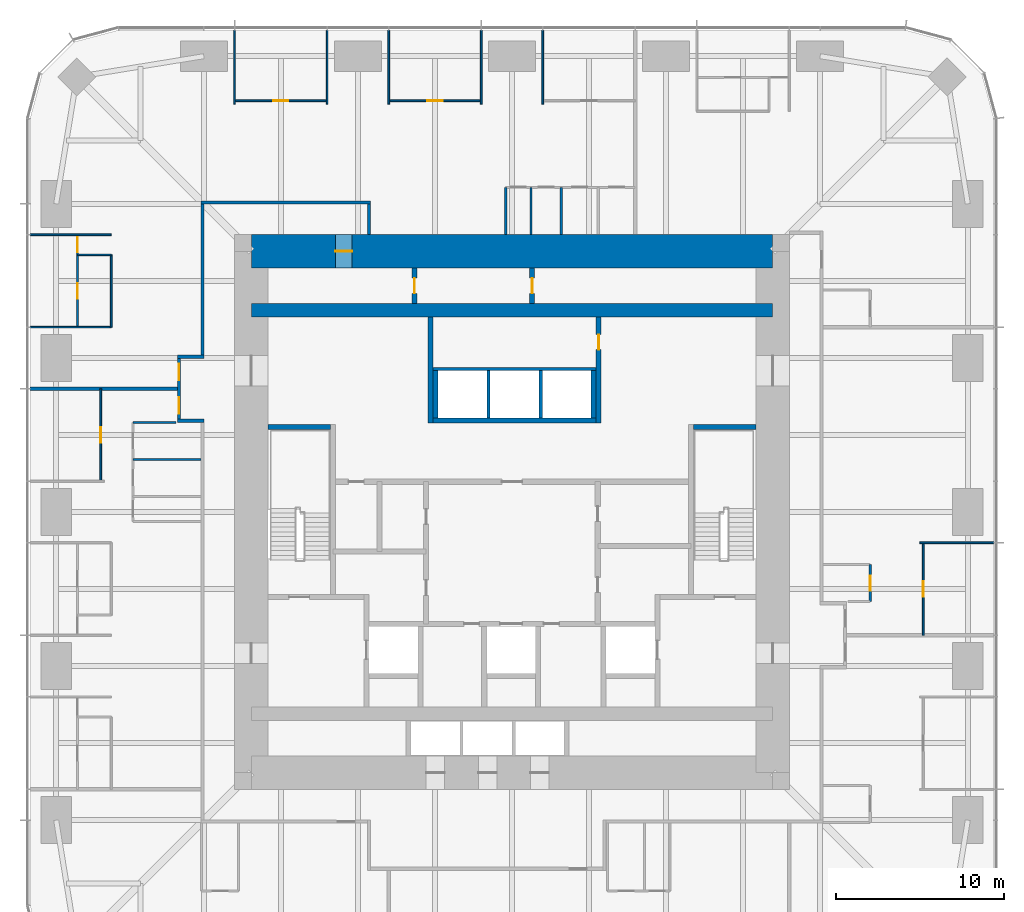
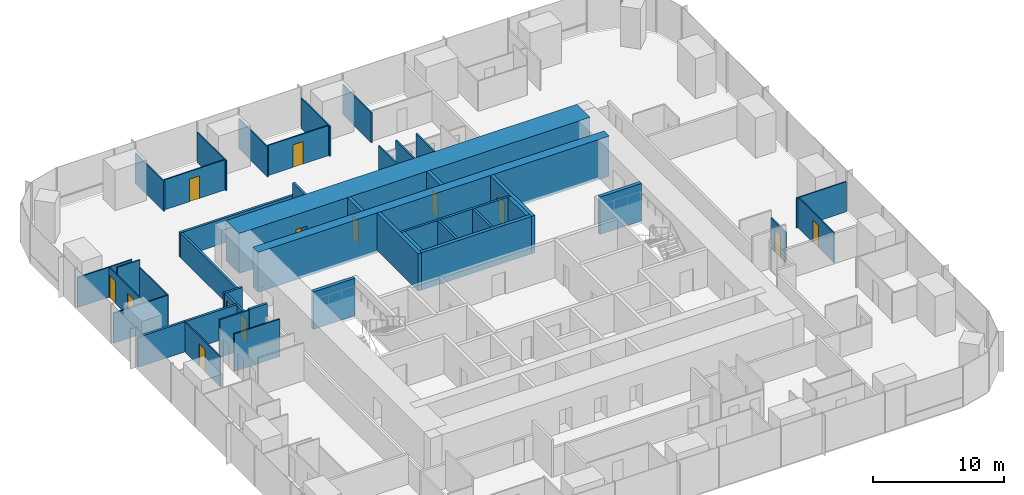
# One storey, part 11 of 13: 42 walls, 13 doors, 13 openings.
"""IFC4 building model written with IfcOpenShell, lengths in metres."""

from ifc_helpers import new_model, si_unit, direction, frame, frame_2d, origin, place, context, subcontext, project, spatial, rectangle, extrude, material, layer, layer_set, type_object, element, fill, save


model = new_model("IFC4")

# Units and contexts
model_context = context("Model", 3, precision=1e-05, world=origin(), true_north=direction((0.0, 1.0)))
body_context = subcontext(model_context, "Body", "Model", "MODEL_VIEW")
ifc_project = project(units=[si_unit("LENGTHUNIT", "METRE"), si_unit("AREAUNIT", "SQUARE_METRE"), si_unit("VOLUMEUNIT", "CUBIC_METRE"), si_unit("PLANEANGLEUNIT", "RADIAN"), si_unit("MASSUNIT", "GRAM", prefix="KILO")], contexts=[model_context])

# Site, building, storey
site_placement = place(None, origin())
site = spatial("IfcSite", under=ifc_project, at=site_placement, CompositionType="ELEMENT")
building_placement = place(site_placement, origin())
building = spatial("IfcBuilding", under=site, at=building_placement, Name="Khuree Lantern Residences", CompositionType="ELEMENT")
storey_placement = place(building_placement, frame((0.0, 0.0, 148.5)))
storey = spatial("IfcBuildingStorey", under=building, at=storey_placement, Name="L37", CompositionType="ELEMENT", Elevation=148.5)

# Wall, opening, door
ifc_material_1 = material(Name="Moisture-resistant gypsum board on steel studs", Category="steel")
ifc_layer_1 = layer(ifc_material_1, 0.125)
ifc_layer_set_1 = layer_set([ifc_layer_1], Name="BATHROOM WALL BTW125")
wall_type_1 = type_object("IfcWallType", Name="BATHROOM WALL BTW125", PredefinedType="PARTITIONING", material=ifc_layer_set_1)
wall_1_placement = place(storey_placement, frame((21.300048828125, -5.327880859375, 0.0), z_axis=(0.0, 0.0, 1.0), x_axis=(0.0, 1.0, 0.0)))
wall_1 = element("IfcWall", 1, at=wall_1_placement, inside=storey, type_object=wall_type_1, Name="L37 BATHROOM WALL 01", PredefinedType="PARTITIONING", context=body_context, shape_type="SweptSolid", body=[
    extrude(rectangle(XDim=2.199951171875, YDim=0.125, at=frame_2d((1.10009765625, 0.0))), origin(), (0.0, 0.0, 1.0), 2.81005859375),
])
opening_1_placement = place(wall_1_placement, frame((0.64990234375, 0.0, 0.0)))
opening_1 = element("IfcOpeningElement", 2, at=opening_1_placement, cuts=wall_1, Name="Opening 37-026", PredefinedType="OPENING", context=body_context, shape_type="SweptSolid", body=[
    extrude(rectangle(XDim=0.89990234375, YDim=2.10009765625, at=frame_2d((0.449951171875, 1.050048828125))), frame((0.0, 0.072509765625, 0.0), z_axis=(0.0, -1.0, 0.0), x_axis=(1.0, 0.0, 0.0)), (0.0, 0.0, 1.0), 0.14501953125),
])
ifc_material_2 = material(Name="Timber door leaf in hardwood frame", Category="wood")
door_type_1 = type_object("IfcDoorType", Name="BATHROOM DOOR 900X2100", OperationType="SINGLE_SWING_LEFT", PredefinedType="DOOR", material=ifc_material_2)
door_1_placement = place(opening_1_placement, origin())
door_1 = element("IfcDoor", 3, at=door_1_placement, inside=storey, type_object=door_type_1, Name="Bathroom door 37-026", OperationType="SINGLE_SWING_LEFT", OverallHeight=2.10009765625, OverallWidth=0.89990234375, PredefinedType="DOOR", context=body_context, shape_type="SweptSolid", body=[
    extrude(rectangle(XDim=0.89990234375, YDim=2.10009765625, at=frame_2d((0.449951171875, 1.050048828125))), frame((0.0, 0.02490234375, 0.0), z_axis=(0.0, -1.0, 0.0), x_axis=(1.0, 0.0, 0.0)), (0.0, 0.0, 1.0), 0.050048828125),
])
fill(opening_1, door_1)

# Walls
for number, where, z_axis, x_axis, name in (
    (4, (2.927978515625, 16.5, 0.0), (0.0, 0.0, 1.0), (0.0, 1.0, 0.0), "L37 BATHROOM WALL 03"),
    (5, (1.1279296875, 16.5, 0.0), (0.0, 0.0, 1.0), (0.0, 1.0, 0.0), "L37 BATHROOM WALL 03"),
    (6, (-0.3720703125, 16.5, 0.0), (0.0, 0.0, 1.0), (0.0, 1.0, 0.0), "L37 BATHROOM WALL 03"),
):
    element("IfcWall", number, at=place(storey_placement, frame(where, z_axis=z_axis, x_axis=x_axis)), inside=storey, type_object=wall_type_1, Name=name, PredefinedType="PARTITIONING", context=body_context, shape_type="SweptSolid", body=[
        extrude(rectangle(XDim=2.800048828125, YDim=0.125, at=frame_2d((1.39990234375, 0.0))), origin(), (0.0, 0.0, 1.0), 3.5),
    ])
wall_2_placement = place(storey_placement, frame((-19.969970703125, 5.327880859375, 0.0), z_axis=(0.0, 0.0, 1.0), x_axis=(-1.0, 0.0, 0.0)))
element("IfcWall", 7, at=wall_2_placement, inside=storey, type_object=wall_type_1, Name="L37 BATHROOM WALL 04", PredefinedType="PARTITIONING", context=body_context, shape_type="SweptSolid", body=[
    extrude(rectangle(XDim=2.559814453125, YDim=0.125, at=frame_2d((1.27978515625, 0.0))), origin(), (0.0, 0.0, 1.0), 3.5),
])
wall_3_placement = place(storey_placement, frame((-18.5, 3.1279296875, 0.0), z_axis=(0.0, 0.0, 1.0), x_axis=(-1.0, 0.0, 0.0)))
element("IfcWall", 8, at=wall_3_placement, inside=storey, type_object=wall_type_1, Name="L37 BATHROOM WALL 04", PredefinedType="PARTITIONING", context=body_context, shape_type="SweptSolid", body=[
    extrude(rectangle(XDim=4.02978515625, YDim=0.125, at=frame_2d((2.014892578125, 0.0))), origin(), (0.0, 0.0, 1.0), 3.5),
])
ifc_material_3 = material(Name="Dense concrete blockwork", Category="masonry")
ifc_layer_2 = layer(ifc_material_3, 0.300048828125)
ifc_layer_set_2 = layer_set([ifc_layer_2], Name="CORE PARTITION WALL CPW300 EI 120")
wall_type_2 = type_object("IfcWallType", Name="CORE PARTITION WALL CPW300 EI 120", PredefinedType="PARTITIONING", material=ifc_layer_set_2)
wall_4_placement = place(storey_placement, frame((-4.699951171875, 5.449951171875, 0.0), z_axis=(0.0, 0.0, 1.0), x_axis=(1.0, 0.0, 0.0)))
element("IfcWall", 9, at=wall_4_placement, inside=storey, type_object=wall_type_2, Name="L37 CORE WALL PHS", PredefinedType="PARTITIONING", context=body_context, shape_type="SweptSolid", body=[
    extrude(rectangle(XDim=9.699951171875, YDim=0.300048828125, at=frame_2d((4.85009765625, 0.0))), origin(), (0.0, 0.0, 1.0), 3.5),
])
for number, where, z_axis, x_axis, name in (
    (10, (-4.550048828125, 5.60009765625, 0.0), (0.0, 0.0, 1.0), (0.0, 1.0, 0.0), "L37 CORE WALL PHW"),
    (11, (4.85009765625, 5.60009765625, 0.0), (0.0, 0.0, 1.0), (0.0, 1.0, 0.0), "L37 CORE WALL PHE"),
):
    element("IfcWall", number, at=place(storey_placement, frame(where, z_axis=z_axis, x_axis=x_axis)), inside=storey, type_object=wall_type_2, Name=name, PredefinedType="PARTITIONING", context=body_context, shape_type="SweptSolid", body=[
        extrude(rectangle(XDim=2.7998046875, YDim=0.300048828125, at=frame_2d((1.39990234375, 0.0))), origin(), (0.0, 0.0, 1.0), 3.5),
    ])
wall_5_placement = place(storey_placement, frame((-4.85009765625, 5.300048828125, 0.0), z_axis=(0.0, 0.0, 1.0), x_axis=(0.0, 1.0, 0.0)))
element("IfcWall", 12, at=wall_5_placement, inside=storey, type_object=wall_type_2, Name="L37 CORE WALL NW", PredefinedType="PARTITIONING", context=body_context, shape_type="SweptSolid", body=[
    extrude(rectangle(XDim=6.300048828125, YDim=0.300048828125, at=frame_2d((3.14990234375, 0.0))), origin(), (0.0, 0.0, 1.0), 3.5),
])

# Wall, opening, door
wall_6_placement = place(storey_placement, frame((5.14990234375, 5.300048828125, 0.0), z_axis=(0.0, 0.0, 1.0), x_axis=(0.0, 1.0, 0.0)))
wall_6 = element("IfcWall", 13, at=wall_6_placement, inside=storey, type_object=wall_type_2, Name="L37 CORE WALL NE", PredefinedType="PARTITIONING", context=body_context, shape_type="SweptSolid", body=[
    extrude(rectangle(XDim=6.300048828125, YDim=0.300048828125, at=frame_2d((3.14990234375, 0.0))), origin(), (0.0, 0.0, 1.0), 3.5),
])
opening_2_placement = place(wall_6_placement, frame((4.35009765625, 0.0, 0.0)))
opening_2 = element("IfcOpeningElement", 14, at=opening_2_placement, cuts=wall_6, Name="Opening 37-021", PredefinedType="OPENING", context=body_context, shape_type="SweptSolid", body=[
    extrude(rectangle(XDim=0.89990234375, YDim=2.10009765625, at=frame_2d((0.449951171875, 1.050048828125))), frame((0.0, 0.16015625, 0.0), z_axis=(0.0, -1.0, 0.0), x_axis=(1.0, 0.0, 0.0)), (0.0, 0.0, 1.0), 0.320068359375),
])
door_type_2 = type_object("IfcDoorType", Name="DOOR 900X2100", OperationType="SINGLE_SWING_LEFT", PredefinedType="DOOR", material=ifc_material_2)
door_2_placement = place(opening_2_placement, origin())
door_2 = element("IfcDoor", 15, at=door_2_placement, inside=storey, type_object=door_type_2, Name="Residents' store door 37-021", OperationType="SINGLE_SWING_LEFT", OverallHeight=2.10009765625, OverallWidth=0.89990234375, PredefinedType="DOOR", context=body_context, shape_type="SweptSolid", body=[
    extrude(rectangle(XDim=0.89990234375, YDim=2.10009765625, at=frame_2d((0.449951171875, 1.050048828125))), frame((0.0, 0.02490234375, 0.0), z_axis=(0.0, -1.0, 0.0), x_axis=(1.0, 0.0, 0.0)), (0.0, 0.0, 1.0), 0.050048828125),
])
fill(opening_2, door_2)

wall_7_placement = place(storey_placement, frame((-5.800048828125, 12.39990234375, 0.0), z_axis=(0.0, 0.0, 1.0), x_axis=(0.0, 1.0, 0.0)))
wall_7 = element("IfcWall", 16, at=wall_7_placement, inside=storey, type_object=wall_type_2, Name="L37 CORE WALL PLX", PredefinedType="PARTITIONING", context=body_context, shape_type="SweptSolid", body=[
    extrude(rectangle(XDim=2.10009765625, YDim=0.300048828125, at=frame_2d((1.050048828125, 0.0))), origin(), (0.0, 0.0, 1.0), 3.5),
])
opening_3_placement = place(wall_7_placement, frame((0.60009765625, 0.0, 0.0)))
opening_3 = element("IfcOpeningElement", 17, at=opening_3_placement, cuts=wall_7, Name="Opening 37-022", PredefinedType="OPENING", context=body_context, shape_type="SweptSolid", body=[
    extrude(rectangle(XDim=0.89990234375, YDim=2.10009765625, at=frame_2d((0.449951171875, 1.050048828125))), frame((0.0, 0.16015625, 0.0), z_axis=(0.0, -1.0, 0.0), x_axis=(1.0, 0.0, 0.0)), (0.0, 0.0, 1.0), 0.320068359375),
])
door_3_placement = place(opening_3_placement, origin())
door_3 = element("IfcDoor", 18, at=door_3_placement, inside=storey, type_object=door_type_2, Name="Store door 37-022", OperationType="SINGLE_SWING_LEFT", OverallHeight=2.10009765625, OverallWidth=0.89990234375, PredefinedType="DOOR", context=body_context, shape_type="SweptSolid", body=[
    extrude(rectangle(XDim=0.89990234375, YDim=2.10009765625, at=frame_2d((0.449951171875, 1.050048828125))), frame((0.0, 0.02490234375, 0.0), z_axis=(0.0, -1.0, 0.0), x_axis=(1.0, 0.0, 0.0)), (0.0, 0.0, 1.0), 0.050048828125),
])
fill(opening_3, door_3)

wall_8_placement = place(storey_placement, frame((1.199951171875, 12.39990234375, 0.0), z_axis=(0.0, 0.0, 1.0), x_axis=(0.0, 1.0, 0.0)))
wall_8 = element("IfcWall", 19, at=wall_8_placement, inside=storey, type_object=wall_type_2, Name="L37 CORE WALL PLY", PredefinedType="PARTITIONING", context=body_context, shape_type="SweptSolid", body=[
    extrude(rectangle(XDim=2.10009765625, YDim=0.300048828125, at=frame_2d((1.050048828125, 0.0))), origin(), (0.0, 0.0, 1.0), 3.5),
])
opening_4_placement = place(wall_8_placement, frame((0.60009765625, 0.0, 0.0)))
opening_4 = element("IfcOpeningElement", 20, at=opening_4_placement, cuts=wall_8, Name="Opening 37-023", PredefinedType="OPENING", context=body_context, shape_type="SweptSolid", body=[
    extrude(rectangle(XDim=0.89990234375, YDim=2.10009765625, at=frame_2d((0.449951171875, 1.050048828125))), frame((0.0, 0.16015625, 0.0), z_axis=(0.0, -1.0, 0.0), x_axis=(1.0, 0.0, 0.0)), (0.0, 0.0, 1.0), 0.320068359375),
])
door_4_placement = place(opening_4_placement, origin())
door_4 = element("IfcDoor", 21, at=door_4_placement, inside=storey, type_object=door_type_2, Name="Maintenance store door 37-023", OperationType="SINGLE_SWING_LEFT", OverallHeight=2.10009765625, OverallWidth=0.89990234375, PredefinedType="DOOR", context=body_context, shape_type="SweptSolid", body=[
    extrude(rectangle(XDim=0.89990234375, YDim=2.10009765625, at=frame_2d((0.449951171875, 1.050048828125))), frame((0.0, 0.02490234375, 0.0), z_axis=(0.0, -1.0, 0.0), x_axis=(1.0, 0.0, 0.0)), (0.0, 0.0, 1.0), 0.050048828125),
])
fill(opening_4, door_4)

# Walls
ifc_material_4 = material(Name="Gypsum board on steel studs", Category="steel")
ifc_layer_3 = layer(ifc_material_4, 0.199951171875)
ifc_layer_set_3 = layer_set([ifc_layer_3], Name="CORRIDOR WALL CRW200 EI 60")
wall_type_3 = type_object("IfcWallType", Name="CORRIDOR WALL CRW200 EI 60", PredefinedType="PARTITIONING", material=ifc_layer_set_3)
wall_9_placement = place(storey_placement, frame((-18.5, 18.39990234375, 0.0), z_axis=(0.0, 0.0, 1.0), x_axis=(1.0, 0.0, 0.0)))
element("IfcWall", 22, at=wall_9_placement, inside=storey, type_object=wall_type_3, Name="L37 CORRIDOR WALL NORTH", PredefinedType="PARTITIONING", context=body_context, shape_type="SweptSolid", body=[
    extrude(rectangle(XDim=10.10009765625, YDim=0.199951171875, at=frame_2d((5.050048828125, 0.0))), origin(), (0.0, 0.0, 1.0), 2.300048828125),
])
wall_10_placement = place(storey_placement, frame((-8.5, 18.300048828125, 0.0), z_axis=(0.0, 0.0, 1.0), x_axis=(0.0, -1.0, 0.0)))
element("IfcWall", 23, at=wall_10_placement, inside=storey, type_object=wall_type_3, Name="L37 NORTH CORRIDOR END WALL", PredefinedType="PARTITIONING", context=body_context, shape_type="SweptSolid", body=[
    extrude(rectangle(XDim=1.800048828125, YDim=0.199951171875, at=frame_2d((0.89990234375, 0.0))), origin(), (0.0, 0.0, 1.0), 3.5),
])
wall_11_placement = place(storey_placement, frame((-18.39990234375, 18.300048828125, 0.0), z_axis=(0.0, 0.0, 1.0), x_axis=(0.0, -1.0, 0.0)))
element("IfcWall", 24, at=wall_11_placement, inside=storey, type_object=wall_type_3, Name="L37 CORRIDOR WALL WEST 1", PredefinedType="PARTITIONING", context=body_context, shape_type="SweptSolid", body=[
    extrude(rectangle(XDim=8.97216796875, YDim=0.199951171875, at=frame_2d((4.486083984375, 0.0))), origin(), (0.0, 0.0, 1.0), 2.300048828125),
])
wall_12_placement = place(storey_placement, frame((-18.300048828125, 9.22802734375, 0.0), z_axis=(0.0, 0.0, 1.0), x_axis=(-1.0, 0.0, 0.0)))
element("IfcWall", 25, at=wall_12_placement, inside=storey, type_object=wall_type_3, Name="L37 CORRIDOR ALCOVE WALL WEST", PredefinedType="PARTITIONING", context=body_context, shape_type="SweptSolid", body=[
    extrude(rectangle(XDim=1.599853515625, YDim=0.199951171875, at=frame_2d((0.7998046875, 0.0))), origin(), (0.0, 0.0, 1.0), 2.699951171875),
])
wall_13_placement = place(storey_placement, frame((-18.300048828125, 5.427978515625, 0.0), z_axis=(0.0, 0.0, 1.0), x_axis=(-1.0, 0.0, 0.0)))
element("IfcWall", 26, at=wall_13_placement, inside=storey, type_object=wall_type_3, Name="L37 CORRIDOR ALCOVE WALL WEST", PredefinedType="PARTITIONING", context=body_context, shape_type="SweptSolid", body=[
    extrude(rectangle(XDim=1.599853515625, YDim=0.199951171875, at=frame_2d((0.7998046875, 0.0))), origin(), (0.0, 0.0, 1.0), 3.5),
])

# Wall, openings, doors
wall_14_placement = place(storey_placement, frame((-19.800048828125, 9.1279296875, 0.0), z_axis=(0.0, 0.0, 1.0), x_axis=(0.0, -1.0, 0.0)))
wall_14 = element("IfcWall", 27, at=wall_14_placement, inside=storey, type_object=wall_type_3, Name="L37 CORRIDOR ALCOVE WALL WEST", PredefinedType="PARTITIONING", context=body_context, shape_type="SweptSolid", body=[
    extrude(rectangle(XDim=3.599853515625, YDim=0.199951171875, at=frame_2d((1.7998046875, 0.0))), origin(), (0.0, 0.0, 1.0), 2.699951171875),
])
opening_5_placement = place(wall_14_placement, frame((0.300048828125, 0.0, 0.0)))
opening_5 = element("IfcOpeningElement", 28, at=opening_5_placement, cuts=wall_14, Name="Opening 37-041", PredefinedType="OPENING", context=body_context, shape_type="SweptSolid", body=[
    extrude(rectangle(XDim=1.0, YDim=2.199951171875, at=frame_2d((0.5, 1.10009765625))), frame((0.0, 0.10986328125, 0.0), z_axis=(0.0, -1.0, 0.0), x_axis=(1.0, 0.0, 0.0)), (0.0, 0.0, 1.0), 0.219970703125),
])
opening_6_placement = place(wall_14_placement, frame((2.300048828125, 0.0, 0.0)))
opening_6 = element("IfcOpeningElement", 29, at=opening_6_placement, cuts=wall_14, Name="Opening 37-050", PredefinedType="OPENING", context=body_context, shape_type="SweptSolid", body=[
    extrude(rectangle(XDim=1.0, YDim=2.199951171875, at=frame_2d((0.5, 1.10009765625))), frame((0.0, 0.10986328125, 0.0), z_axis=(0.0, -1.0, 0.0), x_axis=(1.0, 0.0, 0.0)), (0.0, 0.0, 1.0), 0.219970703125),
])
door_type_3 = type_object("IfcDoorType", Name="APARTMENT ENTRANCE DOOR 1000X2200 EI 30S", OperationType="SINGLE_SWING_LEFT", PredefinedType="DOOR", material=ifc_material_2)
door_5_placement = place(opening_5_placement, origin())
door_5 = element("IfcDoor", 30, at=door_5_placement, inside=storey, type_object=door_type_3, Name="Apartment 03 entrance door 37-041", OperationType="SINGLE_SWING_LEFT", OverallHeight=2.199951171875, OverallWidth=1.0, PredefinedType="DOOR", context=body_context, shape_type="SweptSolid", body=[
    extrude(rectangle(XDim=1.0, YDim=2.199951171875, at=frame_2d((0.5, 1.10009765625))), frame((0.0, 0.02490234375, 0.0), z_axis=(0.0, -1.0, 0.0), x_axis=(1.0, 0.0, 0.0)), (0.0, 0.0, 1.0), 0.050048828125),
])
fill(opening_5, door_5)
door_type_4 = type_object("IfcDoorType", Name="APARTMENT ENTRANCE DOOR 1000X2200 EI 30S RIGHT HAND", OperationType="SINGLE_SWING_RIGHT", PredefinedType="DOOR", material=ifc_material_2)
door_6_placement = place(opening_6_placement, origin())
door_6 = element("IfcDoor", 31, at=door_6_placement, inside=storey, type_object=door_type_4, Name="Apartment 04 entrance door 37-050", OperationType="SINGLE_SWING_RIGHT", OverallHeight=2.199951171875, OverallWidth=1.0, PredefinedType="DOOR", context=body_context, shape_type="SweptSolid", body=[
    extrude(rectangle(XDim=1.0, YDim=2.199951171875, at=frame_2d((0.5, 1.10009765625))), frame((0.0, 0.02490234375, 0.0), z_axis=(0.0, -1.0, 0.0), x_axis=(1.0, 0.0, 0.0)), (0.0, 0.0, 1.0), 0.050048828125),
])
fill(opening_6, door_6)

# Wall, opening, door
ifc_material_5 = material(Name="Concrete C70/85", Category="concrete")
ifc_layer_4 = layer(ifc_material_5, 2.0)
ifc_layer_set_4 = layer_set([ifc_layer_4], Name="CW2000-C70 CORE WALL C70 2000")
wall_type_4 = type_object("IfcWallType", Name="CW2000-C70 CORE WALL C70 2000", PredefinedType="SHEAR", material=ifc_layer_set_4)
wall_15_placement = place(storey_placement, frame((-15.5, 15.5, -0.25), z_axis=(0.0, 0.0, 1.0), x_axis=(1.0, 0.0, 0.0)))
wall_15 = element("IfcWall", 32, at=wall_15_placement, inside=storey, type_object=wall_type_4, Name="Core wall N", PredefinedType="SHEAR", context=body_context, shape_type="SweptSolid", body=[
    extrude(rectangle(XDim=31.0, YDim=2.0, at=frame_2d((15.5, 0.0))), origin(), (0.0, 0.0, 1.0), 3.75),
])
opening_7_placement = place(wall_15_placement, frame((5.0, 0.0, 0.25)))
opening_7 = element("IfcOpeningElement", 33, at=opening_7_placement, cuts=wall_15, Name="Opening 37-024", PredefinedType="OPENING", context=body_context, shape_type="SweptSolid", body=[
    extrude(rectangle(XDim=1.0, YDim=2.10009765625, at=frame_2d((0.5, 1.050048828125))), frame((0.0, 1.010009765625, 0.0), z_axis=(0.0, -1.0, 0.0), x_axis=(1.0, 0.0, 0.0)), (0.0, 0.0, 1.0), 2.02001953125),
])
ifc_material_6 = material(Name="Steel door leaf in steel frame", Category="steel")
door_type_5 = type_object("IfcDoorType", Name="DOOR 1000X2100 EI 60 RIGHT HAND", OperationType="SINGLE_SWING_RIGHT", PredefinedType="DOOR", material=ifc_material_6)
door_7_placement = place(opening_7_placement, origin())
door_7 = element("IfcDoor", 34, at=door_7_placement, inside=storey, type_object=door_type_5, Name="Residents' store door 37-024", OperationType="SINGLE_SWING_RIGHT", OverallHeight=2.10009765625, OverallWidth=1.0, PredefinedType="DOOR", context=body_context, shape_type="SweptSolid", body=[
    extrude(rectangle(XDim=1.0, YDim=2.10009765625, at=frame_2d((0.5, 1.050048828125))), frame((0.0, 0.02490234375, 0.0), z_axis=(0.0, -1.0, 0.0), x_axis=(1.0, 0.0, 0.0)), (0.0, 0.0, 1.0), 0.050048828125),
])
fill(opening_7, door_7)

# Walls
ifc_layer_5 = layer(ifc_material_4, 0.199951171875)
ifc_layer_set_5 = layer_set([ifc_layer_5], Name="DEMISING WALL DMW200 EI 90")
wall_type_5 = type_object("IfcWallType", Name="DEMISING WALL DMW200 EI 90", PredefinedType="PARTITIONING", material=ifc_layer_set_5)
wall_16_placement = place(storey_placement, frame((-19.89990234375, 7.327880859375, 0.0), z_axis=(0.0, 0.0, 1.0), x_axis=(-1.0, 0.0, 0.0)))
element("IfcWall", 35, at=wall_16_placement, inside=storey, type_object=wall_type_5, Name="L37 DEMISING WALL 04", PredefinedType="PARTITIONING", context=body_context, shape_type="SweptSolid", body=[
    extrude(rectangle(XDim=8.75, YDim=0.199951171875, at=frame_2d((4.375, 0.0))), origin(), (0.0, 0.0, 1.0), 2.81005859375),
])
ifc_layer_6 = layer(ifc_material_4, 0.10009765625)
ifc_layer_set_6 = layer_set([ifc_layer_6], Name="PARTITION PT100")
wall_type_6 = type_object("IfcWallType", Name="PARTITION PT100", PredefinedType="PARTITIONING", material=ifc_layer_set_6)
for number, where, z_axis, x_axis, name in (
    (36, (24.25, -1.83203125, 0.0), (0.0, 0.0, 1.0), (1.0, 0.0, 0.0), "L37 PARTITION 01"),
    (37, (1.83203125, 24.25, 0.0), (0.0, 0.0, 1.0), (0.0, 1.0, 0.0), "L37 PARTITION 03"),
    (38, (-1.83203125, 24.25, 0.0), (0.0, 0.0, 1.0), (0.0, 1.0, 0.0), "L37 PARTITION 03"),
    (39, (-7.327880859375, 24.25, 0.0), (0.0, 0.0, 1.0), (0.0, 1.0, 0.0), "L37 PARTITION 03"),
    (40, (-10.991943359375, 24.25, 0.0), (0.0, 0.0, 1.0), (0.0, 1.0, 0.0), "L37 PARTITION 03"),
    (41, (-16.488037109375, 24.25, 0.0), (0.0, 0.0, 1.0), (0.0, 1.0, 0.0), "L37 PARTITION 03"),
):
    element("IfcWall", number, at=place(storey_placement, frame(where, z_axis=z_axis, x_axis=x_axis)), inside=storey, type_object=wall_type_6, Name=name, PredefinedType="PARTITIONING", context=body_context, shape_type="SweptSolid", body=[
        extrude(rectangle(XDim=4.39990234375, YDim=0.10009765625, at=frame_2d((2.199951171875, 0.0))), origin(), (0.0, 0.0, 1.0), 2.81005859375),
    ])
for number, where, z_axis, x_axis, name in (
    (42, (-23.829833984375, 16.488037109375, 0.0), (0.0, 0.0, 1.0), (-1.0, 0.0, 0.0), "L37 PARTITION 03"),
    (43, (-23.829833984375, 10.991943359375, 0.0), (0.0, 0.0, 1.0), (-1.0, 0.0, 0.0), "L37 PARTITION 03"),
):
    element("IfcWall", number, at=place(storey_placement, frame(where, z_axis=z_axis, x_axis=x_axis)), inside=storey, type_object=wall_type_6, Name=name, PredefinedType="PARTITIONING", context=body_context, shape_type="SweptSolid", body=[
        extrude(rectangle(XDim=4.820068359375, YDim=0.10009765625, at=frame_2d((2.41015625, 0.0))), origin(), (0.0, 0.0, 1.0), 2.81005859375),
    ])

# Wall, opening, door
wall_17_placement = place(storey_placement, frame((24.449951171875, -7.327880859375, 0.0), z_axis=(0.0, 0.0, 1.0), x_axis=(0.0, 1.0, 0.0)))
wall_17 = element("IfcWall", 44, at=wall_17_placement, inside=storey, type_object=wall_type_6, Name="L37 PARTITION 01", PredefinedType="PARTITIONING", context=body_context, shape_type="SweptSolid", body=[
    extrude(rectangle(XDim=5.495849609375, YDim=0.10009765625, at=frame_2d((2.748046875, 0.0))), origin(), (0.0, 0.0, 1.0), 2.81005859375),
])
opening_8_placement = place(wall_17_placement, frame((2.298095703125, 0.0, 0.0)))
opening_8 = element("IfcOpeningElement", 45, at=opening_8_placement, cuts=wall_17, Name="Opening 37-025", PredefinedType="OPENING", context=body_context, shape_type="SweptSolid", body=[
    extrude(rectangle(XDim=0.89990234375, YDim=2.10009765625, at=frame_2d((0.449951171875, 1.050048828125))), frame((0.0, 0.06005859375, 0.0), z_axis=(0.0, -1.0, 0.0), x_axis=(1.0, 0.0, 0.0)), (0.0, 0.0, 1.0), 0.1201171875),
])
door_type_6 = type_object("IfcDoorType", Name="BEDROOM DOOR 900X2100", OperationType="SINGLE_SWING_LEFT", PredefinedType="DOOR", material=ifc_material_2)
door_8_placement = place(opening_8_placement, origin())
door_8 = element("IfcDoor", 46, at=door_8_placement, inside=storey, type_object=door_type_6, Name="Bedroom door 37-025", OperationType="SINGLE_SWING_LEFT", OverallHeight=2.10009765625, OverallWidth=0.89990234375, PredefinedType="DOOR", context=body_context, shape_type="SweptSolid", body=[
    extrude(rectangle(XDim=0.89990234375, YDim=2.10009765625, at=frame_2d((0.449951171875, 1.050048828125))), frame((0.0, 0.02490234375, 0.0), z_axis=(0.0, -1.0, 0.0), x_axis=(1.0, 0.0, 0.0)), (0.0, 0.0, 1.0), 0.050048828125),
])
fill(opening_8, door_8)

wall_18_placement = place(storey_placement, frame((-1.83203125, 24.449951171875, 0.0), z_axis=(0.0, 0.0, 1.0), x_axis=(-1.0, 0.0, 0.0)))
wall_18 = element("IfcWall", 47, at=wall_18_placement, inside=storey, type_object=wall_type_6, Name="L37 PARTITION 03", PredefinedType="PARTITIONING", context=body_context, shape_type="SweptSolid", body=[
    extrude(rectangle(XDim=5.495849609375, YDim=0.10009765625, at=frame_2d((2.748046875, 0.0))), origin(), (0.0, 0.0, 1.0), 2.81005859375),
])
opening_9_placement = place(wall_18_placement, frame((2.298095703125, 0.0, 0.0)))
opening_9 = element("IfcOpeningElement", 48, at=opening_9_placement, cuts=wall_18, Name="Opening 37-033", PredefinedType="OPENING", context=body_context, shape_type="SweptSolid", body=[
    extrude(rectangle(XDim=0.89990234375, YDim=2.10009765625, at=frame_2d((0.449951171875, 1.050048828125))), frame((0.0, 0.06005859375, 0.0), z_axis=(0.0, -1.0, 0.0), x_axis=(1.0, 0.0, 0.0)), (0.0, 0.0, 1.0), 0.1201171875),
])
door_9_placement = place(opening_9_placement, origin())
door_9 = element("IfcDoor", 49, at=door_9_placement, inside=storey, type_object=door_type_6, Name="Bedroom door 37-033", OperationType="SINGLE_SWING_LEFT", OverallHeight=2.10009765625, OverallWidth=0.89990234375, PredefinedType="DOOR", context=body_context, shape_type="SweptSolid", body=[
    extrude(rectangle(XDim=0.89990234375, YDim=2.10009765625, at=frame_2d((0.449951171875, 1.050048828125))), frame((0.0, 0.02490234375, 0.0), z_axis=(0.0, -1.0, 0.0), x_axis=(1.0, 0.0, 0.0)), (0.0, 0.0, 1.0), 0.050048828125),
])
fill(opening_9, door_9)

wall_19_placement = place(storey_placement, frame((-10.991943359375, 24.449951171875, 0.0), z_axis=(0.0, 0.0, 1.0), x_axis=(-1.0, 0.0, 0.0)))
wall_19 = element("IfcWall", 50, at=wall_19_placement, inside=storey, type_object=wall_type_6, Name="L37 PARTITION 03", PredefinedType="PARTITIONING", context=body_context, shape_type="SweptSolid", body=[
    extrude(rectangle(XDim=5.49609375, YDim=0.10009765625, at=frame_2d((2.748046875, 0.0))), origin(), (0.0, 0.0, 1.0), 2.81005859375),
])
opening_10_placement = place(wall_19_placement, frame((2.298095703125, 0.0, 0.0)))
opening_10 = element("IfcOpeningElement", 51, at=opening_10_placement, cuts=wall_19, Name="Opening 37-034", PredefinedType="OPENING", context=body_context, shape_type="SweptSolid", body=[
    extrude(rectangle(XDim=0.89990234375, YDim=2.10009765625, at=frame_2d((0.449951171875, 1.050048828125))), frame((0.0, 0.06005859375, 0.0), z_axis=(0.0, -1.0, 0.0), x_axis=(1.0, 0.0, 0.0)), (0.0, 0.0, 1.0), 0.1201171875),
])
door_10_placement = place(opening_10_placement, origin())
door_10 = element("IfcDoor", 52, at=door_10_placement, inside=storey, type_object=door_type_6, Name="Bedroom door 37-034", OperationType="SINGLE_SWING_LEFT", OverallHeight=2.10009765625, OverallWidth=0.89990234375, PredefinedType="DOOR", context=body_context, shape_type="SweptSolid", body=[
    extrude(rectangle(XDim=0.89990234375, YDim=2.10009765625, at=frame_2d((0.449951171875, 1.050048828125))), frame((0.0, 0.02490234375, 0.0), z_axis=(0.0, -1.0, 0.0), x_axis=(1.0, 0.0, 0.0)), (0.0, 0.0, 1.0), 0.050048828125),
])
fill(opening_10, door_10)

# Wall, openings, doors
wall_20_placement = place(storey_placement, frame((-25.829833984375, 16.488037109375, 0.0), z_axis=(0.0, 0.0, 1.0), x_axis=(0.0, -1.0, 0.0)))
wall_20 = element("IfcWall", 53, at=wall_20_placement, inside=storey, type_object=wall_type_6, Name="L37 PARTITION 03", PredefinedType="PARTITIONING", context=body_context, shape_type="SweptSolid", body=[
    extrude(rectangle(XDim=5.49609375, YDim=0.10009765625, at=frame_2d((2.748046875, 0.0))), origin(), (0.0, 0.0, 1.0), 2.81005859375),
])
opening_11_placement = place(wall_20_placement, frame((0.14990234375, 0.0, 0.0)))
opening_11 = element("IfcOpeningElement", 54, at=opening_11_placement, cuts=wall_20, Name="Opening 37-035", PredefinedType="OPENING", context=body_context, shape_type="SweptSolid", body=[
    extrude(rectangle(XDim=0.89990234375, YDim=2.10009765625, at=frame_2d((0.449951171875, 1.050048828125))), frame((0.0, 0.06005859375, 0.0), z_axis=(0.0, -1.0, 0.0), x_axis=(1.0, 0.0, 0.0)), (0.0, 0.0, 1.0), 0.1201171875),
])
opening_12_placement = place(wall_20_placement, frame((2.89794921875, 0.0, 0.0)))
opening_12 = element("IfcOpeningElement", 55, at=opening_12_placement, cuts=wall_20, Name="Opening 37-036", PredefinedType="OPENING", context=body_context, shape_type="SweptSolid", body=[
    extrude(rectangle(XDim=0.89990234375, YDim=2.10009765625, at=frame_2d((0.449951171875, 1.050048828125))), frame((0.0, 0.06005859375, 0.0), z_axis=(0.0, -1.0, 0.0), x_axis=(1.0, 0.0, 0.0)), (0.0, 0.0, 1.0), 0.1201171875),
])
door_11_placement = place(opening_11_placement, origin())
door_11 = element("IfcDoor", 56, at=door_11_placement, inside=storey, type_object=door_type_6, Name="Bedroom door 37-035", OperationType="SINGLE_SWING_LEFT", OverallHeight=2.10009765625, OverallWidth=0.89990234375, PredefinedType="DOOR", context=body_context, shape_type="SweptSolid", body=[
    extrude(rectangle(XDim=0.89990234375, YDim=2.10009765625, at=frame_2d((0.449951171875, 1.050048828125))), frame((0.0, 0.02490234375, 0.0), z_axis=(0.0, -1.0, 0.0), x_axis=(1.0, 0.0, 0.0)), (0.0, 0.0, 1.0), 0.050048828125),
])
fill(opening_11, door_11)
door_12_placement = place(opening_12_placement, origin())
door_12 = element("IfcDoor", 57, at=door_12_placement, inside=storey, type_object=door_type_2, Name="Wardrobe door 37-036", OperationType="SINGLE_SWING_LEFT", OverallHeight=2.10009765625, OverallWidth=0.89990234375, PredefinedType="DOOR", context=body_context, shape_type="SweptSolid", body=[
    extrude(rectangle(XDim=0.89990234375, YDim=2.10009765625, at=frame_2d((0.449951171875, 1.050048828125))), frame((0.0, 0.02490234375, 0.0), z_axis=(0.0, -1.0, 0.0), x_axis=(1.0, 0.0, 0.0)), (0.0, 0.0, 1.0), 0.050048828125),
])
fill(opening_12, door_12)

# Walls
wall_21_placement = place(storey_placement, frame((-23.829833984375, 15.2880859375, 0.0), z_axis=(0.0, 0.0, 1.0), x_axis=(-1.0, 0.0, 0.0)))
element("IfcWall", 58, at=wall_21_placement, inside=storey, type_object=wall_type_6, Name="L37 PARTITION 03", PredefinedType="PARTITIONING", context=body_context, shape_type="SweptSolid", body=[
    extrude(rectangle(XDim=2.0, YDim=0.10009765625, at=frame_2d((1.0, 0.0))), origin(), (0.0, 0.0, 1.0), 3.5),
])
wall_22_placement = place(storey_placement, frame((-23.829833984375, 15.2880859375, 0.0), z_axis=(0.0, 0.0, 1.0), x_axis=(0.0, -1.0, 0.0)))
element("IfcWall", 59, at=wall_22_placement, inside=storey, type_object=wall_type_6, Name="L37 PARTITION 03", PredefinedType="PARTITIONING", context=body_context, shape_type="SweptSolid", body=[
    extrude(rectangle(XDim=4.296142578125, YDim=0.10009765625, at=frame_2d((2.14794921875, 0.0))), origin(), (0.0, 0.0, 1.0), 2.81005859375),
])

# Wall, opening, door
wall_23_placement = place(storey_placement, frame((-24.449951171875, 7.327880859375, 0.0), z_axis=(0.0, 0.0, 1.0), x_axis=(0.0, -1.0, 0.0)))
wall_23 = element("IfcWall", 60, at=wall_23_placement, inside=storey, type_object=wall_type_6, Name="L37 PARTITION 04", PredefinedType="PARTITIONING", context=body_context, shape_type="SweptSolid", body=[
    extrude(rectangle(XDim=5.495849609375, YDim=0.10009765625, at=frame_2d((2.748046875, 0.0))), origin(), (0.0, 0.0, 1.0), 2.81005859375),
])
opening_13_placement = place(wall_23_placement, frame((2.298095703125, 0.0, 0.0)))
opening_13 = element("IfcOpeningElement", 61, at=opening_13_placement, cuts=wall_23, Name="Opening 37-042", PredefinedType="OPENING", context=body_context, shape_type="SweptSolid", body=[
    extrude(rectangle(XDim=0.89990234375, YDim=2.10009765625, at=frame_2d((0.449951171875, 1.050048828125))), frame((0.0, 0.06005859375, 0.0), z_axis=(0.0, -1.0, 0.0), x_axis=(1.0, 0.0, 0.0)), (0.0, 0.0, 1.0), 0.1201171875),
])
door_13_placement = place(opening_13_placement, origin())
door_13 = element("IfcDoor", 62, at=door_13_placement, inside=storey, type_object=door_type_6, Name="Bedroom door 37-042", OperationType="SINGLE_SWING_LEFT", OverallHeight=2.10009765625, OverallWidth=0.89990234375, PredefinedType="DOOR", context=body_context, shape_type="SweptSolid", body=[
    extrude(rectangle(XDim=0.89990234375, YDim=2.10009765625, at=frame_2d((0.449951171875, 1.050048828125))), frame((0.0, 0.02490234375, 0.0), z_axis=(0.0, -1.0, 0.0), x_axis=(1.0, 0.0, 0.0)), (0.0, 0.0, 1.0), 0.050048828125),
])
fill(opening_13, door_13)

# Walls
ifc_layer_7 = layer(ifc_material_3, 0.199951171875)
ifc_layer_set_7 = layer_set([ifc_layer_7], Name="SHAFT WALL SHW200 EI 120")
wall_type_7 = type_object("IfcWallType", Name="SHAFT WALL SHW200 EI 120", PredefinedType="PARTITIONING", material=ifc_layer_set_7)
wall_24_placement = place(storey_placement, frame((-4.699951171875, 8.5, 0.0), z_axis=(0.0, 0.0, 1.0), x_axis=(1.0, 0.0, 0.0)))
element("IfcWall", 63, at=wall_24_placement, inside=storey, type_object=wall_type_7, Name="L37 CORE WALL PHN", PredefinedType="PARTITIONING", context=body_context, shape_type="SweptSolid", body=[
    extrude(rectangle(XDim=9.699951171875, YDim=0.199951171875, at=frame_2d((4.85009765625, 0.0))), origin(), (0.0, 0.0, 1.0), 3.5),
])
for number, where, z_axis, x_axis, name in (
    (64, (-1.39990234375, 5.60009765625, 0.0), (0.0, 0.0, 1.0), (0.0, 1.0, 0.0), "L37 CORE WALL PHD1"),
    (65, (1.699951171875, 5.60009765625, 0.0), (0.0, 0.0, 1.0), (0.0, 1.0, 0.0), "L37 CORE WALL PHD2"),
):
    element("IfcWall", number, at=place(storey_placement, frame(where, z_axis=z_axis, x_axis=x_axis)), inside=storey, type_object=wall_type_7, Name=name, PredefinedType="PARTITIONING", context=body_context, shape_type="SweptSolid", body=[
        extrude(rectangle(XDim=2.7998046875, YDim=0.199951171875, at=frame_2d((1.39990234375, 0.0))), origin(), (0.0, 0.0, 1.0), 3.5),
    ])
ifc_layer_8 = layer(ifc_material_5, 0.800048828125)
ifc_layer_set_8 = layer_set([ifc_layer_8], Name="SP800-C70 CORE SPINE WALL C70 800")
wall_type_8 = type_object("IfcWallType", Name="SP800-C70 CORE SPINE WALL C70 800", PredefinedType="SHEAR", material=ifc_layer_set_8)
wall_25_placement = place(storey_placement, frame((-15.5, 12.0, -0.25), z_axis=(0.0, 0.0, 1.0), x_axis=(1.0, 0.0, 0.0)))
element("IfcWall", 66, at=wall_25_placement, inside=storey, type_object=wall_type_8, Name="Core wall SPN", PredefinedType="SHEAR", context=body_context, shape_type="SweptSolid", body=[
    extrude(rectangle(XDim=31.0, YDim=0.800048828125, at=frame_2d((15.5, 0.0))), origin(), (0.0, 0.0, 1.0), 3.75),
])
ifc_material_7 = material(Name="Concrete C50/60", Category="concrete")
ifc_layer_9 = layer(ifc_material_7, 0.300048828125)
ifc_layer_set_9 = layer_set([ifc_layer_9], Name="STAIR WALL SRW300 C50/60 REI 240")
wall_type_9 = type_object("IfcWallType", Name="STAIR WALL SRW300 C50/60 REI 240", PredefinedType="SOLIDWALL", material=ifc_layer_set_9)
for number, where, z_axis, x_axis, name in (
    (67, (-14.5, 5.050048828125, 0.0), (0.0, 0.0, 1.0), (1.0, 0.0, 0.0), "L37 STAIR WALL ST1N"),
    (68, (14.5, 5.050048828125, 0.0), (0.0, 0.0, 1.0), (-1.0, 0.0, 0.0), "L37 STAIR WALL ST2N"),
):
    element("IfcWall", number, at=place(storey_placement, frame(where, z_axis=z_axis, x_axis=x_axis)), inside=storey, type_object=wall_type_9, Name=name, PredefinedType="SOLIDWALL", context=body_context, shape_type="SweptSolid", body=[
        extrude(rectangle(XDim=3.699951171875, YDim=0.300048828125, at=frame_2d((1.85009765625, 0.0))), origin(), (0.0, 0.0, 1.0), 3.5),
    ])

save(model, "model.ifc")
